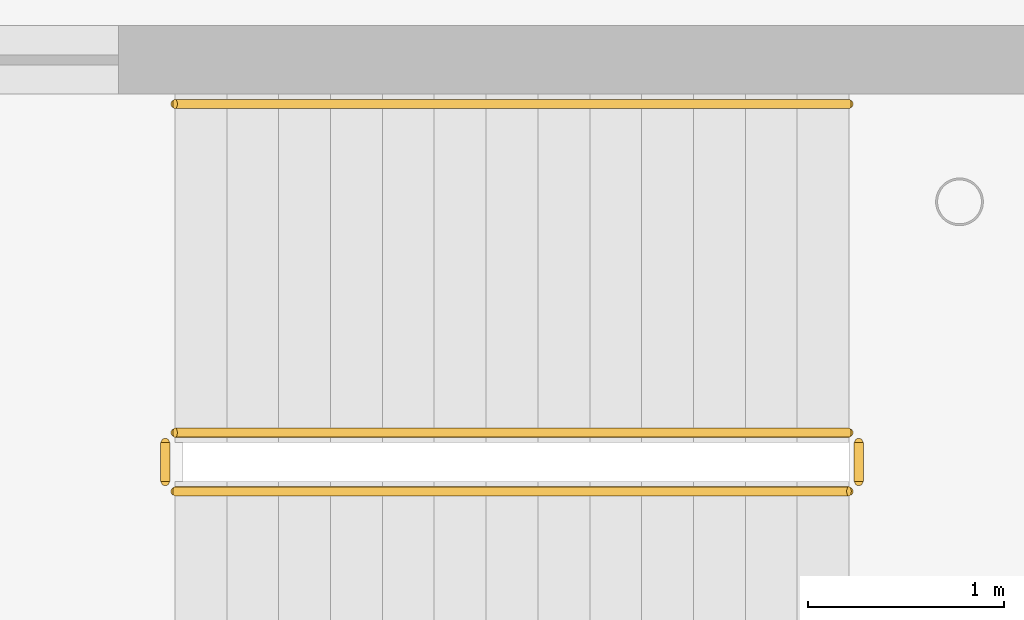
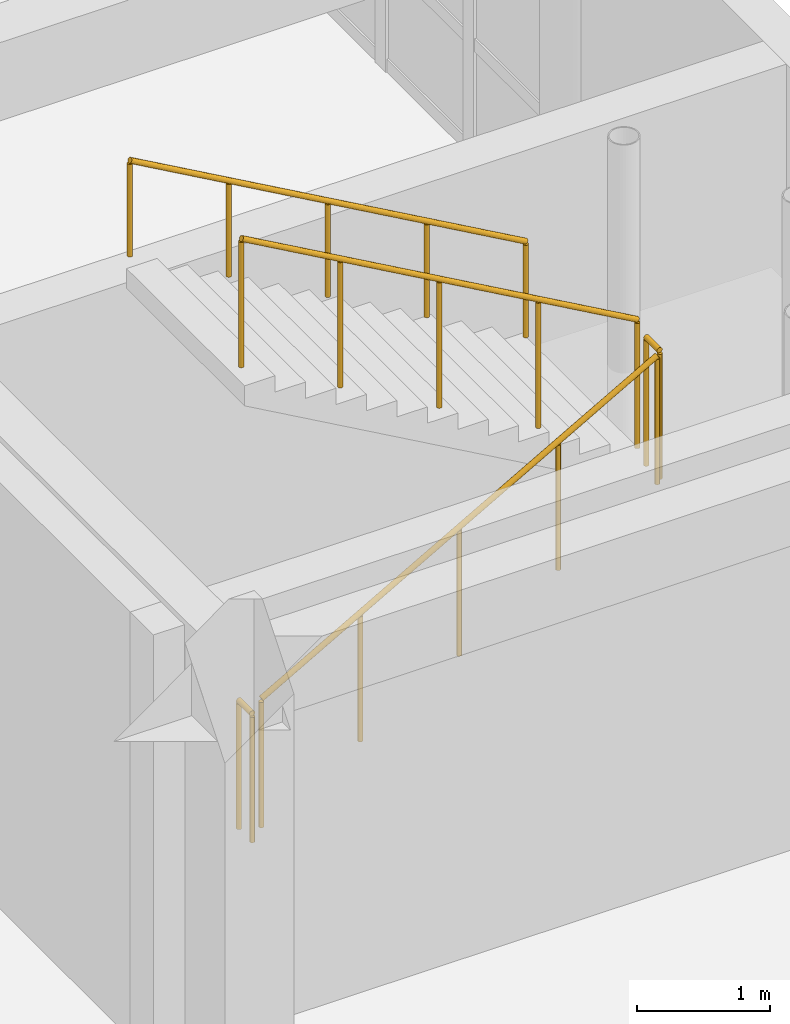
# One storey, part 52 of 53: 5 railings.
"""IFC4 building model written with IfcOpenShell, lengths in metres."""

from ifc_helpers import new_model, si_unit, direction, frame, origin, origin_2d, place, context, subcontext, project, spatial, circle, extrude, material, type_object, element, save


model = new_model("IFC4")

# Units and contexts
model_context = context("Model", 3, precision=1e-05, world=origin(), true_north=direction((0.0, 1.0)))
body_context = subcontext(model_context, "Body", "Model", "MODEL_VIEW")
ifc_project = project(units=[si_unit("LENGTHUNIT", "METRE"), si_unit("AREAUNIT", "SQUARE_METRE"), si_unit("VOLUMEUNIT", "CUBIC_METRE"), si_unit("PLANEANGLEUNIT", "RADIAN"), si_unit("MASSUNIT", "GRAM", prefix="KILO")], contexts=[model_context])

# Site, building, storey
site_placement = place(None, origin())
site = spatial("IfcSite", under=ifc_project, at=site_placement, CompositionType="ELEMENT")
building_placement = place(site_placement, origin())
building = spatial("IfcBuilding", under=site, at=building_placement, Name="Kharva Crest Polytechnic", CompositionType="ELEMENT")
storey_placement = place(building_placement, frame((0.0, 0.0, 17.39990234375)))
storey = spatial("IfcBuildingStorey", under=building, at=storey_placement, Name="L04", CompositionType="ELEMENT", Elevation=17.39990234375)

# Railings
ifc_material_1 = material(Name="Anodised aluminium", Category="aluminium")
railing_type_1 = type_object("IfcRailingType", Name="RL-STAIR-GUARD-1200", PredefinedType="GUARDRAIL", material=ifc_material_1)
railing_1_placement = place(storey_placement, frame((178.090087890625, 73.39990234375, 0.150146484375)))
element("IfcRailing", 1, at=railing_1_placement, inside=storey, type_object=railing_type_1, Name="L04 ST-05 stair guard 1", PredefinedType="GUARDRAIL", context=body_context, shape_type="SweptSolid", body=[
    extrude(circle(Radius=0.02392578125, at=origin_2d()), frame((0.0, 0.0, 1.17578125), z_axis=(0.870251367514, 0.0, 0.492607914411), x_axis=(0.0, 1.0, 0.0)), (0.0, 0.0, 1.0), 3.95849609375),
    extrude(circle(Radius=0.02099609375, at=origin_2d()), origin(), (0.0, 0.0, 1.0), 1.15185546875),
    extrude(circle(Radius=0.02099609375, at=origin_2d()), frame((0.861328125, 0.0, 0.487548828125)), (0.0, 0.0, 1.0), 1.15185546875),
    extrude(circle(Radius=0.02099609375, at=origin_2d()), frame((1.722412109375, 0.0, 0.97509765625)), (0.0, 0.0, 1.0), 1.15185546875),
    extrude(circle(Radius=0.02099609375, at=origin_2d()), frame((2.58349609375, 0.0, 1.46240234375)), (0.0, 0.0, 1.0), 1.15185546875),
    extrude(circle(Radius=0.02099609375, at=origin_2d()), frame((3.44482421875, 0.0, 1.949951171875)), (0.0, 0.0, 1.0), 1.15185546875),
])
railing_2_placement = place(storey_placement, frame((181.5849609375, 73.449951171875, 2.10009765625)))
element("IfcRailing", 2, at=railing_2_placement, inside=storey, type_object=railing_type_1, Name="L04 ST-05 stair guard 2", PredefinedType="GUARDRAIL", context=body_context, shape_type="SweptSolid", body=[
    extrude(circle(Radius=0.02392578125, at=origin_2d()), frame((0.0, 0.0, 1.17578125), z_axis=(0.0, 1.0, 0.0), x_axis=(-1.0, 0.0, 0.0)), (0.0, 0.0, 1.0), 0.199951171875),
    extrude(circle(Radius=0.02099609375, at=origin_2d()), origin(), (0.0, 0.0, 1.0), 1.15185546875),
    extrude(circle(Radius=0.02099609375, at=origin_2d()), frame((0.0, 0.199951171875, 0.0)), (0.0, 0.0, 1.0), 1.15185546875),
])
railing_3_placement = place(storey_placement, frame((181.534912109375, 73.699951171875, 2.25)))
element("IfcRailing", 3, at=railing_3_placement, inside=storey, type_object=railing_type_1, Name="L04 ST-05 stair guard 3", PredefinedType="GUARDRAIL", context=body_context, shape_type="SweptSolid", body=[
    extrude(circle(Radius=0.02392578125, at=origin_2d()), frame((0.0, 0.0, 1.17578125), z_axis=(-0.870224926921, 0.0, 0.492654621987), x_axis=(0.0, -1.0, 0.0)), (0.0, 0.0, 1.0), 3.95849609375),
    extrude(circle(Radius=0.02099609375, at=origin_2d()), origin(), (0.0, 0.0, 1.0), 1.15185546875),
    extrude(circle(Radius=0.02099609375, at=origin_2d()), frame((-0.861328125, 0.0, 0.487548828125)), (0.0, 0.0, 1.0), 1.15185546875),
    extrude(circle(Radius=0.02099609375, at=origin_2d()), frame((-1.722412109375, 0.0, 0.97509765625)), (0.0, 0.0, 1.0), 1.15185546875),
    extrude(circle(Radius=0.02099609375, at=origin_2d()), frame((-2.58349609375, 0.0, 1.462646484375)), (0.0, 0.0, 1.0), 1.15185546875),
    extrude(circle(Radius=0.02099609375, at=origin_2d()), frame((-3.44482421875, 0.0, 1.9501953125)), (0.0, 0.0, 1.0), 1.15185546875),
])
railing_4_placement = place(storey_placement, frame((178.0400390625, 73.449951171875, 0.0)))
element("IfcRailing", 4, at=railing_4_placement, inside=storey, type_object=railing_type_1, Name="L04 ST-05 stair guard 4", PredefinedType="GUARDRAIL", context=body_context, shape_type="SweptSolid", body=[
    extrude(circle(Radius=0.02392578125, at=origin_2d()), frame((0.0, 0.0, 1.17578125), z_axis=(0.0, 1.0, 0.0), x_axis=(-1.0, 0.0, 0.0)), (0.0, 0.0, 1.0), 0.199951171875),
    extrude(circle(Radius=0.02099609375, at=origin_2d()), origin(), (0.0, 0.0, 1.0), 1.15185546875),
    extrude(circle(Radius=0.02099609375, at=origin_2d()), frame((0.0, 0.199951171875, 0.0)), (0.0, 0.0, 1.0), 1.15185546875),
])
ifc_material_2 = material(Name="Teak timber", Category="wood")
railing_type_2 = type_object("IfcRailingType", Name="RL-STAIR-HAND-900", PredefinedType="HANDRAIL", material=ifc_material_2)
railing_5_placement = place(storey_placement, frame((181.534912109375, 75.3798828125, 2.25)))
element("IfcRailing", 5, at=railing_5_placement, inside=storey, type_object=railing_type_2, Name="L04 ST-05 stair handrail 2", PredefinedType="HANDRAIL", context=body_context, shape_type="SweptSolid", body=[
    extrude(circle(Radius=0.02392578125, at=origin_2d()), frame((0.0, 0.0, 0.8759765625), z_axis=(-0.870224926921, 0.0, 0.492654621987), x_axis=(0.0, -1.0, 0.0)), (0.0, 0.0, 1.0), 3.95849609375),
    extrude(circle(Radius=0.02099609375, at=origin_2d()), origin(), (0.0, 0.0, 1.0), 0.851806640625),
    extrude(circle(Radius=0.02099609375, at=origin_2d()), frame((-0.861328125, 0.0, 0.487548828125)), (0.0, 0.0, 1.0), 0.851806640625),
    extrude(circle(Radius=0.02099609375, at=origin_2d()), frame((-1.722412109375, 0.0, 0.97509765625)), (0.0, 0.0, 1.0), 0.851806640625),
    extrude(circle(Radius=0.02099609375, at=origin_2d()), frame((-2.58349609375, 0.0, 1.462646484375)), (0.0, 0.0, 1.0), 0.851806640625),
    extrude(circle(Radius=0.02099609375, at=origin_2d()), frame((-3.44482421875, 0.0, 1.9501953125)), (0.0, 0.0, 1.0), 0.851806640625),
])

save(model, "model.ifc")
